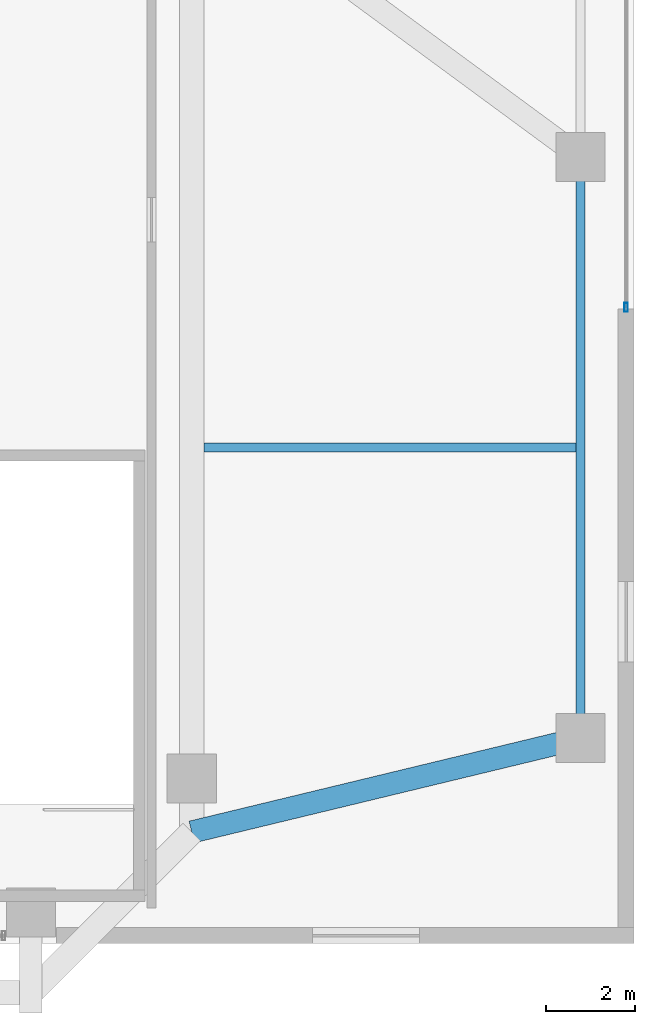
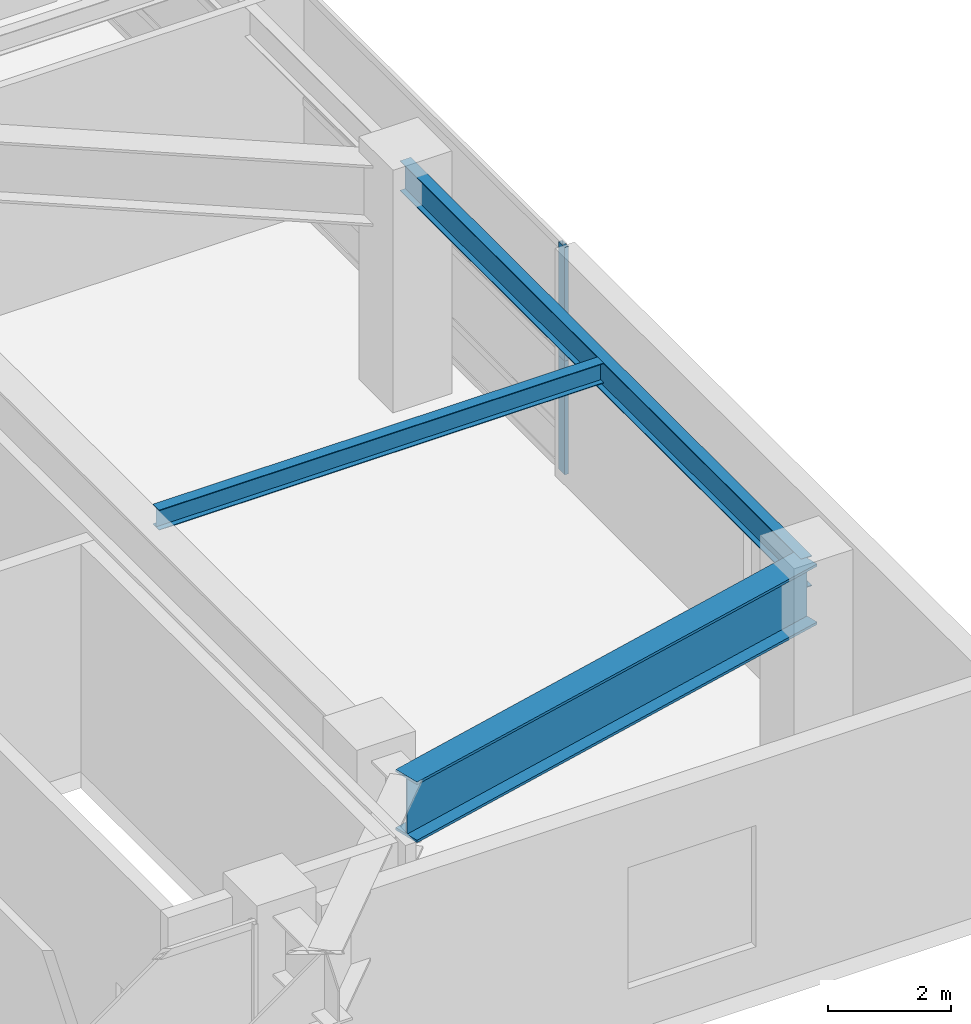
# One storey, part 24 of 34: 3 beams, 2 members, 1 element without a shape of its own.
"""IFC4 building model written with IfcOpenShell, lengths in metres."""

from ifc_helpers import new_model, si_unit, direction, frame, origin, origin_2d, place, context, subcontext, project, spatial, hollow_rectangle, i_section, extrude, source, transform, mapped, material, layer, layer_set, material_profile, profile_set, type_object, element, aggregate, save


model = new_model("IFC4")

# Units and contexts
model_context = context("Model", 3, precision=1e-05, world=origin(), true_north=direction((0.0, 1.0)))
body_context = subcontext(model_context, "Body", "Model", "MODEL_VIEW")
ifc_project = project(units=[si_unit("LENGTHUNIT", "METRE"), si_unit("AREAUNIT", "SQUARE_METRE"), si_unit("VOLUMEUNIT", "CUBIC_METRE"), si_unit("PLANEANGLEUNIT", "RADIAN"), si_unit("MASSUNIT", "GRAM", prefix="KILO"), si_unit("THERMODYNAMICTEMPERATUREUNIT", "KELVIN"), si_unit("POWERUNIT", "WATT")], contexts=[model_context])

# Site, building, storey
site_placement = place(None, origin())
site = spatial("IfcSite", under=ifc_project, at=site_placement, CompositionType="ELEMENT")
building_placement = place(site_placement, origin())
building = spatial("IfcBuilding", under=site, at=building_placement, Name="Yuzanri Waterfront Tower", CompositionType="ELEMENT")
storey_placement = place(building_placement, frame((0.0, 0.0, 25.800048828125)))
storey = spatial("IfcBuildingStorey", under=building, at=storey_placement, Name="L06", CompositionType="ELEMENT", Elevation=25.800048828125)

# Beams
ifc_material_1 = material(Name="Steel Q355B", Category="steel")
ifc_material_profile_1 = material_profile(ifc_material_1, i_section(OverallWidth=0.199951171875, OverallDepth=0.60009765625, WebThickness=0.010986328125, FlangeThickness=0.01708984375, at=origin_2d()), Name="HN 600x200x11x17")
ifc_profile_set_1 = profile_set([ifc_material_profile_1], Name="Steel Q355B")
beam_type_1 = type_object("IfcBeamType", Name="Perimeter Spandrel Q355B HN 600x200", PredefinedType="SPANDREL", material=ifc_profile_set_1)
shared_shape_1 = source(origin(), body_context, "Body", "SweptSolid", [
    extrude(i_section(OverallWidth=0.199951171875, OverallDepth=0.60009765625, WebThickness=0.010986328125, FlangeThickness=0.01708984375, at=origin_2d()), origin(), (0.0, 0.0, 1.0), 13.0),
])
beam_1_placement = place(storey_placement, frame((70.800048828125, 6.39990234375, 4.199951171875), z_axis=(0.0, 1.0, 0.0), x_axis=(-1.0, 0.0, 0.0)))
element("IfcBeam", 1, at=beam_1_placement, inside=storey, type_object=beam_type_1, Name="L06 East Podium Spandrel 1", PredefinedType="SPANDREL", context=body_context, shape_type="MappedRepresentation", body=[
    mapped(shared_shape_1, transform((0.0, 0.0, 0.0), scale=1.0)),
])
ifc_material_2 = material(Name="Steel Q420GJC", Category="steel")
ifc_material_profile_2 = material_profile(ifc_material_2, i_section(OverallWidth=0.5, OverallDepth=1.199951171875, WebThickness=0.028076171875, FlangeThickness=0.050048828125, at=origin_2d()), Name="PG 1200x500x28x50")
ifc_profile_set_2 = profile_set([ifc_material_profile_2], Name="Steel Q420GJC")
beam_type_2 = type_object("IfcBeamType", Name="Setback Transfer Girder Q420GJC PG 1200x500", PredefinedType="USERDEFINED", material=ifc_profile_set_2)
shared_shape_2 = source(origin(), body_context, "Body", "SweptSolid", [
    extrude(i_section(OverallWidth=0.5, OverallDepth=1.199951171875, WebThickness=0.028076171875, FlangeThickness=0.050048828125, at=origin_2d()), origin(), (0.0, 0.0, 1.0), 8.94970703125),
])
beam_2_placement = place(storey_placement, frame((62.10009765625, 4.300048828125, 3.89990234375), z_axis=(0.972085641327, 0.23462631124, 0.0), x_axis=(-0.23462631124, 0.972085641327, 0.0)))
element("IfcBeam", 2, at=beam_2_placement, inside=storey, type_object=beam_type_2, Name="L06 Tower Base Tie E1", ObjectType="GIRDER", PredefinedType="USERDEFINED", context=body_context, shape_type="MappedRepresentation", body=[
    mapped(shared_shape_2, transform((0.0, 0.0, 0.0), scale=1.0)),
])
ifc_material_3 = material(Name="Steel Q355B", Category="steel")
ifc_material_profile_3 = material_profile(ifc_material_3, i_section(OverallWidth=0.199951171875, OverallDepth=0.39990234375, WebThickness=0.008056640625, FlangeThickness=0.012939453125, at=origin_2d()), Name="HN 400x200x8x13")
ifc_profile_set_3 = profile_set([ifc_material_profile_3], Name="Steel Q355B")
beam_type_3 = type_object("IfcBeamType", Name="Floor Joist Q355B HN 400x200", PredefinedType="JOIST", material=ifc_profile_set_3)
shared_shape_3 = source(origin(), body_context, "Body", "SweptSolid", [
    extrude(i_section(OverallWidth=0.199951171875, OverallDepth=0.39990234375, WebThickness=0.008056640625, FlangeThickness=0.012939453125, at=origin_2d()), origin(), (0.0, 0.0, 1.0), 8.320068359375),
])
beam_3_placement = place(storey_placement, frame((62.3798828125, 12.89990234375, 4.300048828125), z_axis=(1.0, 0.0, 0.0), x_axis=(0.0, 1.0, 0.0)))
element("IfcBeam", 3, at=beam_3_placement, inside=storey, type_object=beam_type_3, Name="L06 East Podium Roof Joist 1", PredefinedType="JOIST", context=body_context, shape_type="MappedRepresentation", body=[
    mapped(shared_shape_3, transform((0.0, 0.0, 0.0), scale=1.0)),
])

# Curtain wall, members
ifc_material_4 = material(Name="Anodized Architectural Bronze", Category="metal")
ifc_layer = layer(ifc_material_4, 0.159912109375)
ifc_layer_set = layer_set([ifc_layer], Name="Anodized Architectural Bronze")
curtain_wall_type = type_object("IfcCurtainWallType", Name="Anodized Bronze Podium Waterfront Double-Height Unitized Curtain Wall 8400", PredefinedType="NOTDEFINED", material=ifc_layer_set)
curtain_wall_placement = place(storey_placement, origin())
curtain_wall = element("IfcCurtainWall", 4, at=curtain_wall_placement, inside=storey, type_object=curtain_wall_type, Name="L06 Curtain Wall CW-L06-E", PredefinedType="NOTDEFINED")
ifc_material_5 = material(Name="Anodized Architectural Bronze", Category="metal")
ifc_material_profile_4 = material_profile(ifc_material_5, hollow_rectangle(XDim=0.074951171875, YDim=0.199951171875, WallThickness=0.00390625, at=origin_2d()), Name="CWM 75x200")
ifc_profile_set_4 = profile_set([ifc_material_profile_4], Name="Anodized Architectural Bronze")
member_type = type_object("IfcMemberType", Name="Anodized Bronze Primary Curtain-Wall Mullion 75x200", PredefinedType="MULLION", material=ifc_profile_set_4)
shared_shape_4 = source(origin(), body_context, "Body", "SweptSolid", [
    extrude(hollow_rectangle(XDim=0.074951171875, YDim=0.199951171875, WallThickness=0.00390625, at=origin_2d()), origin(), (0.0, 0.0, 1.0), 2.248046875),
])
member_1_placement = place(storey_placement, frame((71.820068359375, 16.0400390625, 0.0), z_axis=(0.0, 0.0, 1.0), x_axis=(1.0, 0.0, 0.0)))
member_1 = element("IfcMember", 5, at=member_1_placement, type_object=member_type, Name="CW-L06-E Lower Mullion 00", PredefinedType="MULLION", context=body_context, shape_type="MappedRepresentation", body=[
    mapped(shared_shape_4, transform((0.0, 0.0, 0.0), scale=1.0)),
])
member_2_placement = place(storey_placement, frame((71.820068359375, 16.0400390625, 2.251953125), z_axis=(0.0, 0.0, 1.0), x_axis=(1.0, 0.0, 0.0)))
member_2 = element("IfcMember", 6, at=member_2_placement, type_object=member_type, Name="CW-L06-E Upper Mullion 00", PredefinedType="MULLION", context=body_context, shape_type="MappedRepresentation", body=[
    mapped(shared_shape_4, transform((0.0, 0.0, 0.0), scale=1.0)),
])
aggregate(curtain_wall, [member_1, member_2])

save(model, "model.ifc")
